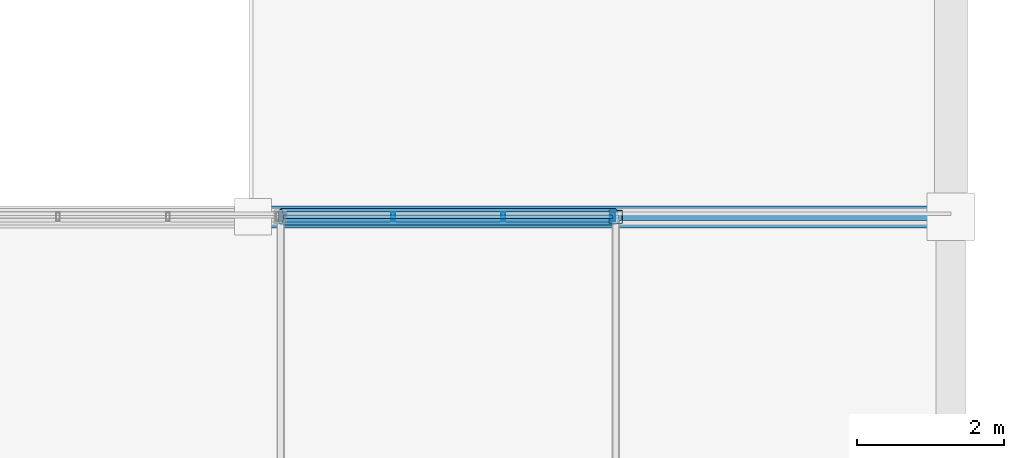
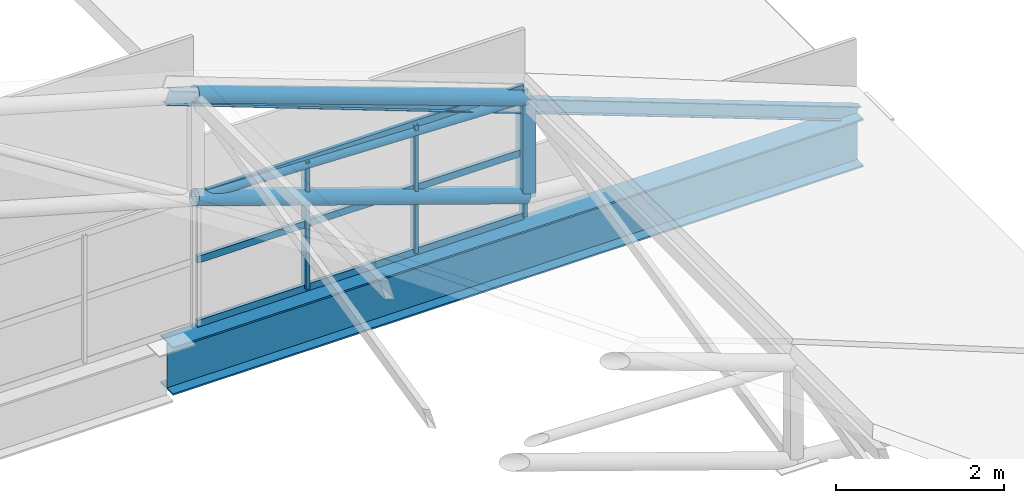
# One storey, part 58 of 101: 11 members, 1 beam, 1 element without a shape of its own.
"""IFC4 building model written with IfcOpenShell, lengths in metres."""

from ifc_helpers import new_model, si_unit, direction, frame, origin, origin_2d, place, context, subcontext, project, spatial, hollow_rectangle, hollow_circle, i_section, extrude, material, material_profile, profile_set, type_object, element, aggregate, save


model = new_model("IFC4")

# Units and contexts
model_context = context("Model", 3, precision=1e-05, world=origin(), true_north=direction((0.0, 1.0)))
body_context = subcontext(model_context, "Body", "Model", "MODEL_VIEW")
ifc_project = project(units=[si_unit("LENGTHUNIT", "METRE"), si_unit("AREAUNIT", "SQUARE_METRE"), si_unit("VOLUMEUNIT", "CUBIC_METRE"), si_unit("PLANEANGLEUNIT", "RADIAN"), si_unit("MASSUNIT", "GRAM", prefix="KILO")], contexts=[model_context])

# Site, building, storey
site_placement = place(None, origin())
site = spatial("IfcSite", under=ifc_project, at=site_placement, CompositionType="ELEMENT")
building_placement = place(site_placement, origin())
building = spatial("IfcBuilding", under=site, at=building_placement, Name="Solvikara Media Centre", CompositionType="ELEMENT")
storey_placement = place(building_placement, frame((0.0, 0.0, 10.199951171875)))
storey = spatial("IfcBuildingStorey", under=building, at=storey_placement, Name="L02", CompositionType="ELEMENT", Elevation=10.199951171875)

# Beam
ifc_material_1 = material(Name="Steel S355JR", Category="steel")
ifc_material_profile_1 = material_profile(ifc_material_1, i_section(OverallWidth=0.300048828125, OverallDepth=0.699951171875, WebThickness=0.012939453125, FlangeThickness=0.02392578125, at=origin_2d()), Name="WF 700x300x13x24")
ifc_profile_set_1 = profile_set([ifc_material_profile_1], Name="Steel S355JR")
beam_type = type_object("IfcBeamType", Name="BM-17", PredefinedType="BEAM", material=ifc_profile_set_1)
beam_placement = place(storey_placement, frame((154.5, 72.0, -0.449951171875), z_axis=(1.0, 0.0, 0.0), x_axis=(0.0, 1.0, 0.0)))
element("IfcBeam", 1, at=beam_placement, inside=storey, type_object=beam_type, Name="B-L02-X0884", PredefinedType="BEAM", context=body_context, shape_type="SweptSolid", body=[
    extrude(i_section(OverallWidth=0.300048828125, OverallDepth=0.699951171875, WebThickness=0.012939453125, FlangeThickness=0.02392578125, at=origin_2d()), origin(), (0.0, 0.0, 1.0), 9.5),
])

# Members
ifc_material_profile_2 = material_profile(ifc_material_1, hollow_circle(Radius=0.109619140625, WallThickness=0.008056640625, at=origin_2d()), Name="CHS 219.1x8")
ifc_profile_set_2 = profile_set([ifc_material_profile_2], Name="Steel S355JR")
member_type_1 = type_object("IfcMemberType", Name="MB-05", PredefinedType="CHORD", material=ifc_profile_set_2)
member_1_placement = place(storey_placement, frame((154.875, 72.0, 3.365966796875), z_axis=(0.940941951614, 0.0, -0.338567930691), x_axis=(0.0, 1.0, 0.0)))
element("IfcMember", 2, at=member_1_placement, inside=storey, type_object=member_type_1, Name="BSA-TC-04-06", PredefinedType="CHORD", context=body_context, shape_type="SweptSolid", body=[
    extrude(hollow_circle(Radius=0.109619140625, WallThickness=0.008056640625, at=origin_2d()), origin(), (0.0, 0.0, 1.0), 4.849365234375),
])
member_2_placement = place(storey_placement, frame((154.875, 72.0, 1.865966796875), z_axis=(0.94585275082, 0.0, -0.324596016252), x_axis=(0.0, 1.0, 0.0)))
element("IfcMember", 3, at=member_2_placement, inside=storey, type_object=member_type_1, Name="BSA-BC-04-06", PredefinedType="CHORD", context=body_context, shape_type="SweptSolid", body=[
    extrude(hollow_circle(Radius=0.109619140625, WallThickness=0.008056640625, at=origin_2d()), origin(), (0.0, 0.0, 1.0), 4.82421875),
])
ifc_material_profile_3 = material_profile(ifc_material_1, hollow_circle(Radius=0.06982421875, WallThickness=0.00634765625, at=origin_2d()), Name="CHS 139.7x6.3")
ifc_profile_set_3 = profile_set([ifc_material_profile_3], Name="Steel S355JR")
member_type_2 = type_object("IfcMemberType", Name="MB-08", PredefinedType="BRACE", material=ifc_profile_set_3)
member_3_placement = place(storey_placement, frame((154.875, 72.0, 1.865966796875), z_axis=(0.999517175782, 0.0, -0.03107113318), x_axis=(0.0, 1.0, 0.0)))
element("IfcMember", 4, at=member_3_placement, inside=storey, type_object=member_type_2, Name="BSA-DG-04-06", PredefinedType="BRACE", context=body_context, shape_type="SweptSolid", body=[
    extrude(hollow_circle(Radius=0.06982421875, WallThickness=0.00634765625, at=origin_2d()), origin(), (0.0, 0.0, 1.0), 4.565185546875),
])
ifc_material_profile_4 = material_profile(ifc_material_1, hollow_rectangle(XDim=0.179931640625, YDim=0.179931640625, WallThickness=0.008056640625, at=origin_2d()), Name="RHS 180x180x8")
ifc_profile_set_4 = profile_set([ifc_material_profile_4], Name="Steel S355JR")
member_type_3 = type_object("IfcMemberType", Name="MB-14", PredefinedType="BRACE", material=ifc_profile_set_4)
member_4_placement = place(storey_placement, frame((159.43798828125, 72.0, 0.300048828125), z_axis=(0.0, 0.0, 1.0), x_axis=(1.0, 0.0, 0.0)))
element("IfcMember", 5, at=member_4_placement, inside=storey, type_object=member_type_3, Name="BSA-VT-04-07", PredefinedType="BRACE", context=body_context, shape_type="SweptSolid", body=[
    extrude(hollow_rectangle(XDim=0.179931640625, YDim=0.179931640625, WallThickness=0.008056640625, at=origin_2d()), origin(), (0.0, 0.0, 1.0), 1.424072265625),
])
ifc_material_profile_5 = material_profile(ifc_material_1, i_section(OverallWidth=0.10009765625, OverallDepth=0.199951171875, WebThickness=0.005615234375, FlangeThickness=0.008056640625, at=origin_2d()), Name="WF 200x100x5.5x8")
ifc_profile_set_5 = profile_set([ifc_material_profile_5], Name="Steel S355JR")
member_type_4 = type_object("IfcMemberType", Name="MB-21", PredefinedType="PURLIN", material=ifc_profile_set_5)
member_5_placement = place(storey_placement, frame((154.5, 72.0, 3.4609375), z_axis=(0.936542650922, 0.0, -0.350553652104), x_axis=(0.0, 1.0, 0.0)))
element("IfcMember", 6, at=member_5_placement, inside=storey, type_object=member_type_4, Name="BSE-PRL-00", PredefinedType="PURLIN", context=body_context, shape_type="SweptSolid", body=[
    extrude(i_section(OverallWidth=0.10009765625, OverallDepth=0.199951171875, WebThickness=0.005615234375, FlangeThickness=0.008056640625, at=origin_2d()), origin(), (0.0, 0.0, 1.0), 10.143798828125),
])

# Curtain wall, members
ifc_material_2 = material(Name="Anodised aluminium EN AW-6063", Category="aluminium")
curtain_wall_type = type_object("IfcCurtainWallType", Name="CW-12", PredefinedType="NOTDEFINED", material=ifc_material_2)
curtain_wall_placement = place(storey_placement, origin())
curtain_wall = element("IfcCurtainWall", 7, at=curtain_wall_placement, inside=storey, type_object=curtain_wall_type, Name="CW-BSAN-CLR-06", PredefinedType="NOTDEFINED")
ifc_material_profile_6 = material_profile(ifc_material_2, hollow_rectangle(XDim=0.050048828125, YDim=0.1201171875, WallThickness=0.0029296875, at=origin_2d()), Name="ALU-M 50x120x3")
ifc_profile_set_6 = profile_set([ifc_material_profile_6], Name="Anodised aluminium EN AW-6063")
member_type_5 = type_object("IfcMemberType", Name="MF-06", PredefinedType="MULLION", material=ifc_profile_set_6)
member_6_placement = place(storey_placement, frame((156.407958984375, 72.0, 0.02001953125), z_axis=(0.0, 0.0, 1.0), x_axis=(1.0, 0.0, 0.0)))
member_6 = element("IfcMember", 8, at=member_6_placement, type_object=member_type_5, Name="CW-BSAN-CLR-06-M01", PredefinedType="MULLION", context=body_context, shape_type="SweptSolid", body=[
    extrude(hollow_rectangle(XDim=0.050048828125, YDim=0.1201171875, WallThickness=0.0029296875, at=origin_2d()), origin(), (0.0, 0.0, 1.0), 1.860107421875),
])
member_7_placement = place(storey_placement, frame((157.905029296875, 72.0, 0.02001953125), z_axis=(0.0, 0.0, 1.0), x_axis=(1.0, 0.0, 0.0)))
member_7 = element("IfcMember", 9, at=member_7_placement, type_object=member_type_5, Name="CW-BSAN-CLR-06-M02", PredefinedType="MULLION", context=body_context, shape_type="SweptSolid", body=[
    extrude(hollow_rectangle(XDim=0.050048828125, YDim=0.1201171875, WallThickness=0.0029296875, at=origin_2d()), origin(), (0.0, 0.0, 1.0), 1.860107421875),
])
member_8_placement = place(storey_placement, frame((159.403076171875, 72.0, 0.02001953125), z_axis=(0.0, 0.0, 1.0), x_axis=(1.0, 0.0, 0.0)))
member_8 = element("IfcMember", 10, at=member_8_placement, type_object=member_type_5, Name="CW-BSAN-CLR-06-M03", PredefinedType="MULLION", context=body_context, shape_type="SweptSolid", body=[
    extrude(hollow_rectangle(XDim=0.050048828125, YDim=0.1201171875, WallThickness=0.0029296875, at=origin_2d()), origin(), (0.0, 0.0, 1.0), 1.860107421875),
])
ifc_material_profile_7 = material_profile(ifc_material_2, hollow_rectangle(XDim=0.050048828125, YDim=0.10009765625, WallThickness=0.0029296875, at=origin_2d()), Name="ALU-T 50x100x3")
ifc_profile_set_7 = profile_set([ifc_material_profile_7], Name="Anodised aluminium EN AW-6063")
member_type_6 = type_object("IfcMemberType", Name="MF-12", PredefinedType="USERDEFINED", material=ifc_profile_set_7)
member_9_placement = place(storey_placement, frame((154.909912109375, 72.0, 0.02001953125), z_axis=(1.0, 0.0, 0.0), x_axis=(0.0, 1.0, 0.0)))
member_9 = element("IfcMember", 11, at=member_9_placement, type_object=member_type_6, Name="CW-BSAN-CLR-06-T00", ObjectType="TRANSOM", PredefinedType="USERDEFINED", context=body_context, shape_type="SweptSolid", body=[
    extrude(hollow_rectangle(XDim=0.050048828125, YDim=0.10009765625, WallThickness=0.0029296875, at=origin_2d()), origin(), (0.0, 0.0, 1.0), 4.4931640625),
])
member_10_placement = place(storey_placement, frame((154.909912109375, 72.0, 0.949951171875), z_axis=(1.0, 0.0, 0.0), x_axis=(0.0, 1.0, 0.0)))
member_10 = element("IfcMember", 12, at=member_10_placement, type_object=member_type_6, Name="CW-BSAN-CLR-06-T01", ObjectType="TRANSOM", PredefinedType="USERDEFINED", context=body_context, shape_type="SweptSolid", body=[
    extrude(hollow_rectangle(XDim=0.050048828125, YDim=0.10009765625, WallThickness=0.0029296875, at=origin_2d()), origin(), (0.0, 0.0, 1.0), 4.4931640625),
])
member_11_placement = place(storey_placement, frame((154.909912109375, 72.0, 1.880126953125), z_axis=(1.0, 0.0, 0.0), x_axis=(0.0, 1.0, 0.0)))
member_11 = element("IfcMember", 13, at=member_11_placement, type_object=member_type_6, Name="CW-BSAN-CLR-06-T02", ObjectType="TRANSOM", PredefinedType="USERDEFINED", context=body_context, shape_type="SweptSolid", body=[
    extrude(hollow_rectangle(XDim=0.050048828125, YDim=0.10009765625, WallThickness=0.0029296875, at=origin_2d()), origin(), (0.0, 0.0, 1.0), 4.4931640625),
])
aggregate(curtain_wall, [member_6, member_7, member_8, member_9, member_10, member_11])

save(model, "model.ifc")
